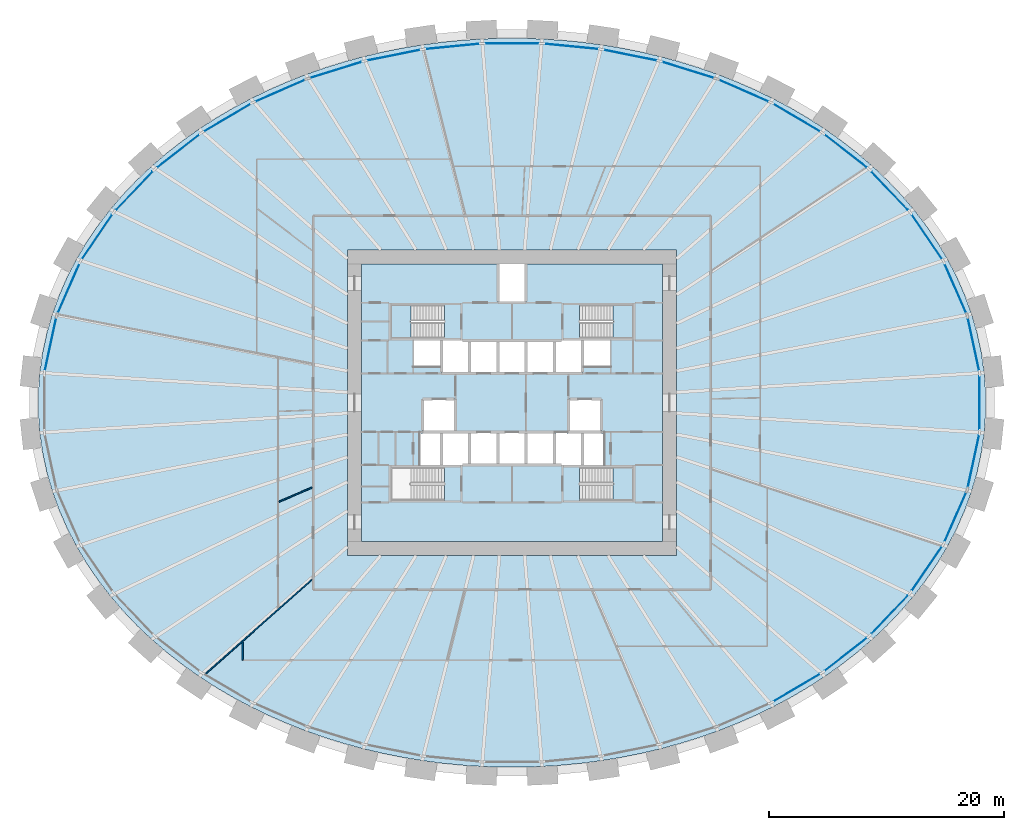
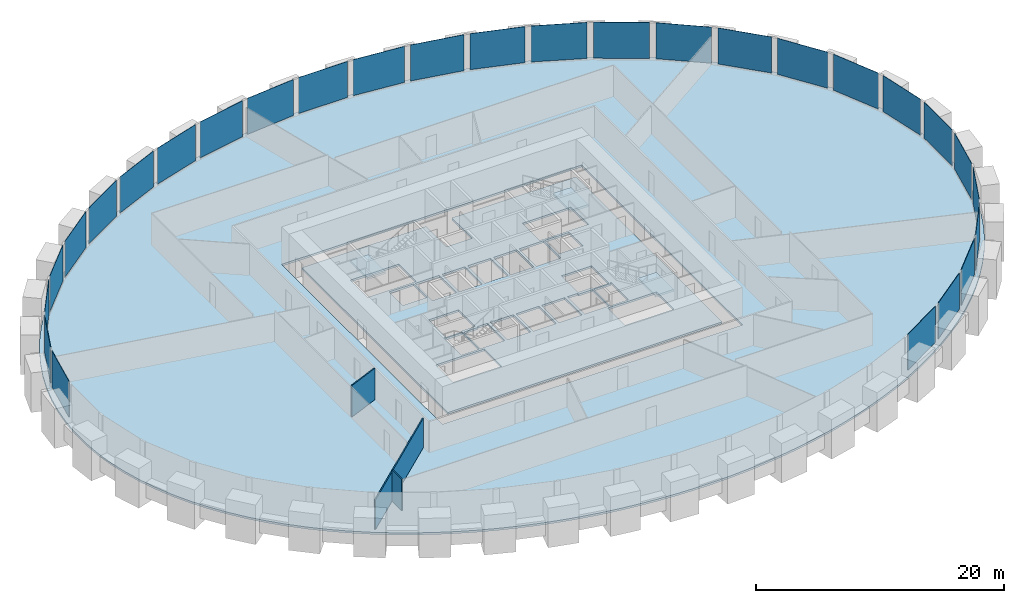
# One storey, part 5 of 10: 28 plates, 5 slabs, 3 walls, 4 elements without a shape of their own.
"""IFC4 building model written with IfcOpenShell, lengths in metres."""

from ifc_helpers import new_model, si_unit, direction, frame, frame_2d, origin, origin_2d, place, context, subcontext, project, spatial, polyline, rectangle, outline, extrude, source, transform, mapped, material, layer, layer_set, type_object, element, aggregate, save


model = new_model("IFC4")

# Units and contexts
model_context = context("Model", 3, precision=1e-05, world=origin(), true_north=direction((0.0, 1.0)))
body_context = subcontext(model_context, "Body", "Model", "MODEL_VIEW")
ifc_project = project(units=[si_unit("LENGTHUNIT", "METRE"), si_unit("AREAUNIT", "SQUARE_METRE"), si_unit("VOLUMEUNIT", "CUBIC_METRE"), si_unit("PLANEANGLEUNIT", "RADIAN"), si_unit("MASSUNIT", "GRAM", prefix="KILO")], contexts=[model_context])

# Site, building, storey
site_placement = place(None, origin())
site = spatial("IfcSite", under=ifc_project, at=site_placement, CompositionType="ELEMENT")
building_placement = place(site_placement, origin())
building = spatial("IfcBuilding", under=site, at=building_placement, Name="Embergate Tower", CompositionType="ELEMENT")
storey_placement = place(building_placement, frame((0.0, 0.0, 93.199951171875)))
storey = spatial("IfcBuildingStorey", under=building, at=storey_placement, Name="L19", CompositionType="ELEMENT", Elevation=93.199951171875)

# Slab
ifc_material_1 = material(Name="Concrete C40", Category="concrete")
ifc_layer_1 = layer(ifc_material_1, 0.199951171875)
ifc_layer_set_1 = layer_set([ifc_layer_1], Name="Concrete C40")
slab_type_1 = type_object("IfcSlabType", Name="Composite floor slab C40 200", PredefinedType="FLOOR", material=ifc_layer_set_1)
shared_shape_1 = source(origin(), body_context, "Body", "SweptSolid", [
    extrude(outline(polyline([(0.0, 0.0), (1.7041015625, 0.0), (3.406982421875, 0.054931640625), (5.111083984375, 0.1669921875), (6.80810546875, 0.3330078125), (8.4931640625, 0.554931640625), (10.18115234375, 0.8349609375), (11.85302734375, 1.169921875), (13.504150390625, 1.559814453125), (15.157958984375, 2.011962890625), (16.78515625, 2.518798828125), (18.383056640625, 3.079833984375), (19.98193359375, 3.7080078125), (21.5439453125, 4.390869140625), (23.06396484375, 5.126953125), (24.5830078125, 5.93798828125), (26.052978515625, 6.802001953125), (27.468994140625, 7.7158203125), (28.875, 8.71484375), (30.218017578125, 9.762939453125), (31.49609375, 10.85888671875), (32.7490234375, 12.0458984375), (33.925048828125, 13.27880859375), (35.02001953125, 14.555908203125), (36.071044921875, 15.9248046875), (37.029052734375, 17.3330078125), (37.89208984375, 18.77783203125), (38.68212890625, 20.306884765625), (39.365966796875, 21.866943359375), (39.942138671875, 23.452880859375), (40.4169921875, 25.099853515625), (40.775146484375, 26.763916015625), (41.01513671875, 28.44189453125), (41.136962890625, 30.141845703125), (41.136962890625, 31.843994140625), (41.01513671875, 33.5439453125), (40.775146484375, 35.221923828125), (40.4169921875, 36.885986328125), (39.942138671875, 38.532958984375), (39.365966796875, 40.118896484375), (38.68212890625, 41.678955078125), (37.89208984375, 43.2080078125), (37.029052734375, 44.65283203125), (36.071044921875, 46.06103515625), (35.02001953125, 47.429931640625), (33.925048828125, 48.70703125), (32.7490234375, 49.93994140625), (31.49609375, 51.126953125), (30.218017578125, 52.222900390625), (28.875, 53.27099609375), (27.468994140625, 54.27001953125), (26.052978515625, 55.183837890625), (24.5830078125, 56.0478515625), (23.06396484375, 56.85888671875), (21.5439453125, 57.594970703125), (19.98193359375, 58.27783203125), (18.383056640625, 58.906005859375), (16.78515625, 59.467041015625), (15.157958984375, 59.973876953125), (13.504150390625, 60.426025390625), (11.85302734375, 60.81591796875), (10.18115234375, 61.15087890625), (8.4931640625, 61.430908203125), (6.80810546875, 61.65283203125), (5.111083984375, 61.81884765625), (3.406982421875, 61.930908203125), (1.7041015625, 61.98583984375), (0.0, 61.98583984375), (-1.702880859375, 61.930908203125), (-3.406982421875, 61.81884765625), (-5.10400390625, 61.65283203125), (-6.7890625, 61.430908203125), (-8.47705078125, 61.15087890625), (-10.14892578125, 60.81591796875), (-11.800048828125, 60.426025390625), (-13.453857421875, 59.973876953125), (-15.0810546875, 59.467041015625), (-16.678955078125, 58.906005859375), (-18.27783203125, 58.27783203125), (-19.83984375, 57.594970703125), (-21.35986328125, 56.85888671875), (-22.87890625, 56.0478515625), (-24.348876953125, 55.183837890625), (-25.764892578125, 54.27001953125), (-27.1708984375, 53.27099609375), (-28.513916015625, 52.222900390625), (-29.7919921875, 51.126953125), (-31.044921875, 49.93994140625), (-32.220947265625, 48.70703125), (-33.31591796875, 47.429931640625), (-34.366943359375, 46.06103515625), (-35.324951171875, 44.65283203125), (-36.18798828125, 43.2080078125), (-36.97802734375, 41.678955078125), (-37.661865234375, 40.118896484375), (-38.238037109375, 38.532958984375), (-38.712890625, 36.885986328125), (-39.071044921875, 35.221923828125), (-39.31103515625, 33.5439453125), (-39.432861328125, 31.843994140625), (-39.432861328125, 30.141845703125), (-39.31103515625, 28.44189453125), (-39.071044921875, 26.763916015625), (-38.712890625, 25.099853515625), (-38.238037109375, 23.452880859375), (-37.661865234375, 21.866943359375), (-36.97802734375, 20.306884765625), (-36.18798828125, 18.77783203125), (-35.324951171875, 17.3330078125), (-34.366943359375, 15.9248046875), (-33.31591796875, 14.555908203125), (-32.220947265625, 13.27880859375), (-31.044921875, 12.0458984375), (-29.7919921875, 10.85888671875), (-28.513916015625, 9.762939453125), (-27.1708984375, 8.71484375), (-25.764892578125, 7.7158203125), (-24.348876953125, 6.802001953125), (-22.87890625, 5.93798828125), (-21.35986328125, 5.126953125), (-19.83984375, 4.390869140625), (-18.27783203125, 3.7080078125), (-16.678955078125, 3.079833984375), (-15.0810546875, 2.518798828125), (-13.453857421875, 2.011962890625), (-11.800048828125, 1.559814453125), (-10.14892578125, 1.169921875), (-8.47705078125, 0.8349609375), (-6.7890625, 0.554931640625), (-5.10400390625, 0.3330078125), (-3.406982421875, 0.1669921875), (-1.702880859375, 0.054931640625), (0.0, 0.0)]), holes=[polyline([(-13.14794921875, 17.992919921875), (-13.14794921875, 43.992919921875), (14.85205078125, 43.992919921875), (14.85205078125, 17.992919921875), (-13.14794921875, 17.992919921875)])]), origin(), (0.0, 0.0, 1.0), 0.199951171875),
])
slab_1_placement = place(storey_placement, frame((-0.85205078125, -30.992919921875, -0.199951171875)))
element("IfcSlab", 1, at=slab_1_placement, inside=storey, type_object=slab_type_1, Name="SLB-L19-00", PredefinedType="FLOOR", context=body_context, shape_type="MappedRepresentation", body=[
    mapped(shared_shape_1, transform((0.0, 0.0, 0.0))),
])

# Curtain wall, plates
ifc_material_2 = material(Name="Aluminium and glass", Category="aluminium")
curtain_wall_type = type_object("IfcCurtainWallType", Name="Recessed office glazing", PredefinedType="NOTDEFINED", material=ifc_material_2)
curtain_wall_placement = place(storey_placement, origin())
curtain_wall = element("IfcCurtainWall", 2, at=curtain_wall_placement, inside=storey, type_object=curtain_wall_type, Name="Recessed office glazing ring", ObjectType="RECESSED OFFICE GLAZING", PredefinedType="USERDEFINED")
ifc_material_3 = material(Name="Triple glazing, low-emissivity coating", Category="glass")
ifc_layer_2 = layer(ifc_material_3, 0.035888671875)
ifc_layer_set_2 = layer_set([ifc_layer_2], Name="Triple glazing, low-emissivity coating")
plate_type = type_object("IfcPlateType", Name="Office glazing unit", PredefinedType="CURTAIN_PANEL", material=ifc_layer_set_2)
shared_shape_2 = source(origin(), body_context, "Body", "SweptSolid", [
    extrude(rectangle(XDim=4.502197265625, YDim=0.035888671875, at=origin_2d()), origin(), (0.0, 0.0, 1.0), 3.550048828125),
])
plate_1_placement = place(storey_placement, frame((39.247314453125, 4.964599609375, 0.14990234375), z_axis=(0.0, 0.0, 1.0), x_axis=(-0.210396684915, 0.977616097953, 0.0)))
plate_1 = element("IfcPlate", 3, at=plate_1_placement, type_object=plate_type, Name="CW panel 1.1", PredefinedType="CURTAIN_PANEL", context=body_context, shape_type="MappedRepresentation", body=[
    mapped(shared_shape_2, transform((0.0, 0.0, 0.0))),
])
plate_2_placement = place(storey_placement, frame((-39.247314453125, 4.964599609375, 0.14990234375), z_axis=(0.0, 0.0, 1.0), x_axis=(-0.210396684915, -0.977616097953, 0.0)))
plate_2 = element("IfcPlate", 4, at=plate_2_placement, type_object=plate_type, Name="CW panel 21.1", PredefinedType="CURTAIN_PANEL", context=body_context, shape_type="MappedRepresentation", body=[
    mapped(shared_shape_2, transform((0.0, 0.0, 0.0))),
])
plate_3_placement = place(storey_placement, frame((39.247314453125, -4.964599609375, 0.14990234375), z_axis=(0.0, 0.0, 1.0), x_axis=(0.210396684915, 0.977616097953, 0.0)))
plate_3 = element("IfcPlate", 5, at=plate_3_placement, type_object=plate_type, Name="CW panel 43.1", PredefinedType="CURTAIN_PANEL", context=body_context, shape_type="MappedRepresentation", body=[
    mapped(shared_shape_2, transform((0.0, 0.0, 0.0))),
])
shared_shape_3 = source(origin(), body_context, "Body", "SweptSolid", [
    extrude(rectangle(XDim=4.50927734375, YDim=0.035888671875, at=origin_2d()), origin(), (0.0, 0.0, 1.0), 3.550048828125),
])
plate_4_placement = place(storey_placement, frame((37.708984375, 9.722412109375, 0.14990234375), z_axis=(0.0, 0.0, 1.0), x_axis=(-0.401650502798, 0.915793029894, 0.0)))
plate_4 = element("IfcPlate", 6, at=plate_4_placement, type_object=plate_type, Name="CW panel 2.1", PredefinedType="CURTAIN_PANEL", context=body_context, shape_type="MappedRepresentation", body=[
    mapped(shared_shape_3, transform((0.0, 0.0, 0.0))),
])
plate_5_placement = place(storey_placement, frame((-37.708984375, 9.722412109375, 0.14990234375), z_axis=(0.0, 0.0, 1.0), x_axis=(-0.401650502798, -0.915793029894, 0.0)))
plate_5 = element("IfcPlate", 7, at=plate_5_placement, type_object=plate_type, Name="CW panel 20.1", PredefinedType="CURTAIN_PANEL", context=body_context, shape_type="MappedRepresentation", body=[
    mapped(shared_shape_3, transform((0.0, 0.0, 0.0))),
])
plate_6_placement = place(storey_placement, frame((37.708984375, -9.722412109375, 0.14990234375), z_axis=(0.0, 0.0, 1.0), x_axis=(0.401650502798, 0.915793029894, 0.0)))
plate_6 = element("IfcPlate", 8, at=plate_6_placement, type_object=plate_type, Name="CW panel 42.1", PredefinedType="CURTAIN_PANEL", context=body_context, shape_type="MappedRepresentation", body=[
    mapped(shared_shape_3, transform((0.0, 0.0, 0.0))),
])
shared_shape_4 = source(origin(), body_context, "Body", "SweptSolid", [
    extrude(rectangle(XDim=4.518310546875, YDim=0.035888671875, at=origin_2d()), origin(), (0.0, 0.0, 1.0), 3.550048828125),
])
plate_7_placement = place(storey_placement, frame((35.2822265625, 14.1083984375, 0.14990234375), z_axis=(0.0, 0.0, 1.0), x_axis=(-0.562340298693, 0.826905912705, 0.0)))
plate_7 = element("IfcPlate", 9, at=plate_7_placement, type_object=plate_type, Name="CW panel 3.1", PredefinedType="CURTAIN_PANEL", context=body_context, shape_type="MappedRepresentation", body=[
    mapped(shared_shape_4, transform((0.0, 0.0, 0.0))),
])
plate_8_placement = place(storey_placement, frame((-35.2822265625, 14.1083984375, 0.14990234375), z_axis=(0.0, 0.0, 1.0), x_axis=(-0.562340298693, -0.826905912705, 0.0)))
plate_8 = element("IfcPlate", 10, at=plate_8_placement, type_object=plate_type, Name="CW panel 19.1", PredefinedType="CURTAIN_PANEL", context=body_context, shape_type="MappedRepresentation", body=[
    mapped(shared_shape_4, transform((0.0, 0.0, 0.0))),
])
plate_9_placement = place(storey_placement, frame((35.2822265625, -14.1083984375, 0.14990234375), z_axis=(0.0, 0.0, 1.0), x_axis=(0.562340298693, 0.826905912705, 0.0)))
plate_9 = element("IfcPlate", 11, at=plate_9_placement, type_object=plate_type, Name="CW panel 41.1", PredefinedType="CURTAIN_PANEL", context=body_context, shape_type="MappedRepresentation", body=[
    mapped(shared_shape_4, transform((0.0, 0.0, 0.0))),
])
shared_shape_5 = source(origin(), body_context, "Body", "SweptSolid", [
    extrude(rectangle(XDim=4.527099609375, YDim=0.035888671875, at=origin_2d()), origin(), (0.0, 0.0, 1.0), 3.550048828125),
])
plate_10_placement = place(storey_placement, frame((32.124267578125, 18.017578125, 0.14990234375), z_axis=(0.0, 0.0, 1.0), x_axis=(-0.6901325214, 0.723683012724, 0.0)))
plate_10 = element("IfcPlate", 12, at=plate_10_placement, type_object=plate_type, Name="CW panel 4.1", PredefinedType="CURTAIN_PANEL", context=body_context, shape_type="MappedRepresentation", body=[
    mapped(shared_shape_5, transform((0.0, 0.0, 0.0))),
])
plate_11_placement = place(storey_placement, frame((-32.124267578125, 18.017578125, 0.14990234375), z_axis=(0.0, 0.0, 1.0), x_axis=(-0.6901325214, -0.723683012724, 0.0)))
plate_11 = element("IfcPlate", 13, at=plate_11_placement, type_object=plate_type, Name="CW panel 18.1", PredefinedType="CURTAIN_PANEL", context=body_context, shape_type="MappedRepresentation", body=[
    mapped(shared_shape_5, transform((0.0, 0.0, 0.0))),
])
plate_12_placement = place(storey_placement, frame((32.124267578125, -18.017578125, 0.14990234375), z_axis=(0.0, 0.0, 1.0), x_axis=(0.6901325214, 0.723683012724, 0.0)))
plate_12 = element("IfcPlate", 14, at=plate_12_placement, type_object=plate_type, Name="CW panel 40.1", PredefinedType="CURTAIN_PANEL", context=body_context, shape_type="MappedRepresentation", body=[
    mapped(shared_shape_5, transform((0.0, 0.0, 0.0))),
])
shared_shape_6 = source(origin(), body_context, "Body", "SweptSolid", [
    extrude(rectangle(XDim=4.534423828125, YDim=0.035888671875, at=origin_2d()), origin(), (0.0, 0.0, 1.0), 3.550048828125),
])
plate_13_placement = place(storey_placement, frame((28.390380859375, 21.398681640625, 0.14990234375), z_axis=(0.0, 0.0, 1.0), x_axis=(-0.788319045413, 0.615266676035, 0.0)))
plate_13 = element("IfcPlate", 15, at=plate_13_placement, type_object=plate_type, Name="CW panel 5.1", PredefinedType="CURTAIN_PANEL", context=body_context, shape_type="MappedRepresentation", body=[
    mapped(shared_shape_6, transform((0.0, 0.0, 0.0))),
])
plate_14_placement = place(storey_placement, frame((-28.390380859375, 21.398681640625, 0.14990234375), z_axis=(0.0, 0.0, 1.0), x_axis=(-0.788319045413, -0.615266676035, 0.0)))
plate_14 = element("IfcPlate", 16, at=plate_14_placement, type_object=plate_type, Name="CW panel 17.1", PredefinedType="CURTAIN_PANEL", context=body_context, shape_type="MappedRepresentation", body=[
    mapped(shared_shape_6, transform((0.0, 0.0, 0.0))),
])
plate_15_placement = place(storey_placement, frame((28.390380859375, -21.398681640625, 0.14990234375), z_axis=(0.0, 0.0, 1.0), x_axis=(0.788319045413, 0.615266676035, 0.0)))
plate_15 = element("IfcPlate", 17, at=plate_15_placement, type_object=plate_type, Name="CW panel 39.1", PredefinedType="CURTAIN_PANEL", context=body_context, shape_type="MappedRepresentation", body=[
    mapped(shared_shape_6, transform((0.0, 0.0, 0.0))),
])
shared_shape_7 = source(origin(), body_context, "Body", "SweptSolid", [
    extrude(rectangle(XDim=4.54052734375, YDim=0.035888671875, at=origin_2d()), origin(), (0.0, 0.0, 1.0), 3.550048828125),
])
plate_16_placement = place(storey_placement, frame((24.216796875, 24.236083984375, 0.14990234375), z_axis=(0.0, 0.0, 1.0), x_axis=(-0.862052283246, 0.506819357316, 0.0)))
plate_16 = element("IfcPlate", 18, at=plate_16_placement, type_object=plate_type, Name="CW panel 6.1", PredefinedType="CURTAIN_PANEL", context=body_context, shape_type="MappedRepresentation", body=[
    mapped(shared_shape_7, transform((0.0, 0.0, 0.0))),
])
plate_17_placement = place(storey_placement, frame((-24.216796875, 24.236083984375, 0.14990234375), z_axis=(0.0, 0.0, 1.0), x_axis=(-0.862052283246, -0.506819357316, 0.0)))
plate_17 = element("IfcPlate", 19, at=plate_17_placement, type_object=plate_type, Name="CW panel 16.1", PredefinedType="CURTAIN_PANEL", context=body_context, shape_type="MappedRepresentation", body=[
    mapped(shared_shape_7, transform((0.0, 0.0, 0.0))),
])
plate_18_placement = place(storey_placement, frame((24.216796875, -24.236083984375, 0.14990234375), z_axis=(0.0, 0.0, 1.0), x_axis=(0.862052283246, 0.506819357316, 0.0)))
plate_18 = element("IfcPlate", 20, at=plate_18_placement, type_object=plate_type, Name="CW panel 38.1", PredefinedType="CURTAIN_PANEL", context=body_context, shape_type="MappedRepresentation", body=[
    mapped(shared_shape_7, transform((0.0, 0.0, 0.0))),
])
shared_shape_8 = source(origin(), body_context, "Body", "SweptSolid", [
    extrude(rectangle(XDim=4.545166015625, YDim=0.035888671875, at=origin_2d()), origin(), (0.0, 0.0, 1.0), 3.550048828125),
])
plate_19_placement = place(storey_placement, frame((19.715087890625, 26.533203125, 0.14990234375), z_axis=(0.0, 0.0, 1.0), x_axis=(-0.916235512493, 0.400640094905, 0.0)))
plate_19 = element("IfcPlate", 21, at=plate_19_placement, type_object=plate_type, Name="CW panel 7.1", PredefinedType="CURTAIN_PANEL", context=body_context, shape_type="MappedRepresentation", body=[
    mapped(shared_shape_8, transform((0.0, 0.0, 0.0))),
])
plate_20_placement = place(storey_placement, frame((-19.715087890625, 26.533203125, 0.14990234375), z_axis=(0.0, 0.0, 1.0), x_axis=(-0.916235512493, -0.400640094905, 0.0)))
plate_20 = element("IfcPlate", 22, at=plate_20_placement, type_object=plate_type, Name="CW panel 15.1", PredefinedType="CURTAIN_PANEL", context=body_context, shape_type="MappedRepresentation", body=[
    mapped(shared_shape_8, transform((0.0, 0.0, 0.0))),
])
shared_shape_9 = source(origin(), body_context, "Body", "SweptSolid", [
    extrude(rectangle(XDim=4.548583984375, YDim=0.035888671875, at=origin_2d()), origin(), (0.0, 0.0, 1.0), 3.550048828125),
])
plate_21_placement = place(storey_placement, frame((14.97509765625, 28.30126953125, 0.14990234375), z_axis=(0.0, 0.0, 1.0), x_axis=(-0.95477169822, 0.297339880067, 0.0)))
plate_21 = element("IfcPlate", 23, at=plate_21_placement, type_object=plate_type, Name="CW panel 8.1", PredefinedType="CURTAIN_PANEL", context=body_context, shape_type="MappedRepresentation", body=[
    mapped(shared_shape_9, transform((0.0, 0.0, 0.0))),
])
plate_22_placement = place(storey_placement, frame((-14.97509765625, 28.30126953125, 0.14990234375), z_axis=(0.0, 0.0, 1.0), x_axis=(-0.95477169822, -0.297339880067, 0.0)))
plate_22 = element("IfcPlate", 24, at=plate_22_placement, type_object=plate_type, Name="CW panel 14.1", PredefinedType="CURTAIN_PANEL", context=body_context, shape_type="MappedRepresentation", body=[
    mapped(shared_shape_9, transform((0.0, 0.0, 0.0))),
])
shared_shape_10 = source(origin(), body_context, "Body", "SweptSolid", [
    extrude(rectangle(XDim=4.55078125, YDim=0.035888671875, at=origin_2d()), origin(), (0.0, 0.0, 1.0), 3.550048828125),
])
plate_23_placement = place(storey_placement, frame((10.069580078125, 29.55322265625, 0.14990234375), z_axis=(0.0, 0.0, 1.0), x_axis=(-0.980475564207, 0.196640962142, 0.0)))
plate_23 = element("IfcPlate", 25, at=plate_23_placement, type_object=plate_type, Name="CW panel 9.1", PredefinedType="CURTAIN_PANEL", context=body_context, shape_type="MappedRepresentation", body=[
    mapped(shared_shape_10, transform((0.0, 0.0, 0.0))),
])
plate_24_placement = place(storey_placement, frame((-10.069580078125, 29.55322265625, 0.14990234375), z_axis=(0.0, 0.0, 1.0), x_axis=(-0.980475564207, -0.196640962142, 0.0)))
plate_24 = element("IfcPlate", 26, at=plate_24_placement, type_object=plate_type, Name="CW panel 13.1", PredefinedType="CURTAIN_PANEL", context=body_context, shape_type="MappedRepresentation", body=[
    mapped(shared_shape_10, transform((0.0, 0.0, 0.0))),
])
shared_shape_11 = source(origin(), body_context, "Body", "SweptSolid", [
    extrude(rectangle(XDim=4.552001953125, YDim=0.035888671875, at=origin_2d()), origin(), (0.0, 0.0, 1.0), 3.550048828125),
])
plate_25_placement = place(storey_placement, frame((5.06005859375, 30.300048828125, 0.14990234375), z_axis=(0.0, 0.0, 1.0), x_axis=(-0.995203184788, 0.097829550688, 0.0)))
plate_25 = element("IfcPlate", 27, at=plate_25_placement, type_object=plate_type, Name="CW panel 10.1", PredefinedType="CURTAIN_PANEL", context=body_context, shape_type="MappedRepresentation", body=[
    mapped(shared_shape_11, transform((0.0, 0.0, 0.0))),
])
plate_26_placement = place(storey_placement, frame((-5.06005859375, 30.300048828125, 0.14990234375), z_axis=(0.0, 0.0, 1.0), x_axis=(-0.995203184788, -0.097829550688, 0.0)))
plate_26 = element("IfcPlate", 28, at=plate_26_placement, type_object=plate_type, Name="CW panel 12.1", PredefinedType="CURTAIN_PANEL", context=body_context, shape_type="MappedRepresentation", body=[
    mapped(shared_shape_11, transform((0.0, 0.0, 0.0))),
])
shared_shape_12 = source(origin(), body_context, "Body", "SweptSolid", [
    extrude(rectangle(XDim=4.552490234375, YDim=0.035888671875, at=origin_2d()), origin(), (0.0, 0.0, 1.0), 3.550048828125),
])
plate_27_placement = place(storey_placement, frame((0.0, 30.548095703125, 0.14990234375), z_axis=(0.0, 0.0, 1.0), x_axis=(-1.0, 0.0, 0.0)))
plate_27 = element("IfcPlate", 29, at=plate_27_placement, type_object=plate_type, Name="CW panel 11.1", PredefinedType="CURTAIN_PANEL", context=body_context, shape_type="MappedRepresentation", body=[
    mapped(shared_shape_12, transform((0.0, 0.0, 0.0))),
])
shared_shape_13 = source(origin(), body_context, "Body", "SweptSolid", [
    extrude(rectangle(XDim=4.49951171875, YDim=0.035888671875, at=origin_2d()), origin(), (0.0, 0.0, 1.0), 3.550048828125),
])
plate_28_placement = place(storey_placement, frame((39.775390625, 0.0, 0.14990234375), z_axis=(0.0, 0.0, 1.0), x_axis=(0.0, 1.0, 0.0)))
plate_28 = element("IfcPlate", 30, at=plate_28_placement, type_object=plate_type, Name="CW panel 44.1", PredefinedType="CURTAIN_PANEL", context=body_context, shape_type="MappedRepresentation", body=[
    mapped(shared_shape_13, transform((0.0, 0.0, 0.0))),
])
aggregate(curtain_wall, [plate_1, plate_4, plate_7, plate_10, plate_13, plate_16, plate_19, plate_21, plate_23, plate_25, plate_27, plate_26, plate_24, plate_22, plate_20, plate_17, plate_14, plate_11, plate_8, plate_5, plate_2, plate_18, plate_15, plate_12, plate_9, plate_6, plate_3, plate_28])

# Stair, slab
ifc_material_4 = material(Name="Exit stair")
stair_type = type_object("IfcStairType", Name="Exit stair", PredefinedType="HALF_TURN_STAIR", material=ifc_material_4)
stair_1_placement = place(storey_placement, origin())
stair_1 = element("IfcStair", 31, at=stair_1_placement, inside=storey, type_object=stair_type, Name="L19 Exit stair 1", PredefinedType="HALF_TURN_STAIR")
ifc_layer_3 = layer(ifc_material_1, 0.199951171875)
ifc_layer_set_3 = layer_set([ifc_layer_3], Name="Concrete C40")
slab_type_2 = type_object("IfcSlabType", Name="Stair landing reinforced concrete", PredefinedType="LANDING", material=ifc_layer_set_3)
shared_shape_14 = source(origin(), body_context, "Body", "SweptSolid", [
    extrude(outline(polyline([(0.0, 0.0), (1.68994140625, 0.0), (1.68994140625, 2.800048828125), (0.0, 2.800048828125), (0.0, 0.0)])), origin(), (0.0, 0.0, 1.0), 0.199951171875),
])
slab_2_placement = place(storey_placement, frame((-10.300048828125, 5.5, 1.75)))
slab_2 = element("IfcSlab", 32, at=slab_2_placement, type_object=slab_type_2, Name="ST1 landing 1", PredefinedType="LANDING", context=body_context, shape_type="MappedRepresentation", body=[
    mapped(shared_shape_14, transform((0.0, 0.0, 0.0))),
])
aggregate(stair_1, [slab_2])

stair_2_placement = place(storey_placement, origin())
stair_2 = element("IfcStair", 33, at=stair_2_placement, inside=storey, type_object=stair_type, Name="L19 Exit stair 2", PredefinedType="HALF_TURN_STAIR")
slab_3_placement = place(storey_placement, frame((8.610107421875, 5.5, 1.75)))
slab_3 = element("IfcSlab", 34, at=slab_3_placement, type_object=slab_type_2, Name="ST2 landing 1", PredefinedType="LANDING", context=body_context, shape_type="MappedRepresentation", body=[
    mapped(shared_shape_14, transform((0.0, 0.0, 0.0))),
])
aggregate(stair_2, [slab_3])

stair_3_placement = place(storey_placement, origin())
stair_3 = element("IfcStair", 35, at=stair_3_placement, inside=storey, type_object=stair_type, Name="L19 Exit stair 4", PredefinedType="HALF_TURN_STAIR")
slab_4_placement = place(storey_placement, frame((8.610107421875, -8.300048828125, 1.75)))
slab_4 = element("IfcSlab", 36, at=slab_4_placement, type_object=slab_type_2, Name="ST4 landing 1", PredefinedType="LANDING", context=body_context, shape_type="MappedRepresentation", body=[
    mapped(shared_shape_14, transform((0.0, 0.0, 0.0))),
])
aggregate(stair_3, [slab_4])

# Slab
ifc_layer_4 = layer(ifc_material_1, 0.199951171875)
ifc_layer_set_4 = layer_set([ifc_layer_4], Name="Concrete C40")
slab_type_3 = type_object("IfcSlabType", Name="Core floor slab 200 reinforced concrete", PredefinedType="FLOOR", material=ifc_layer_set_4)
shared_shape_15 = source(origin(), body_context, "Body", "SweptSolid", [
    extrude(outline(polyline([(0.0, 0.0), (25.60009765625, 0.0), (25.60009765625, 23.60009765625), (14.0, 23.60009765625), (14.0, 20.300048828125), (11.60009765625, 20.300048828125), (11.60009765625, 23.60009765625), (0.0, 23.60009765625), (0.0, 0.0)]), holes=[polyline([(2.5, 3.5), (2.5, 6.300048828125), (7.0400390625, 6.300048828125), (7.0400390625, 3.5), (2.5, 3.5)]), polyline([(18.56005859375, 3.5), (18.56005859375, 6.300048828125), (23.10009765625, 6.300048828125), (23.10009765625, 3.5), (18.56005859375, 3.5)]), polyline([(5.0, 6.5), (5.0, 9.300048828125), (5.074951171875, 9.300048828125), (5.074951171875, 9.175048828125), (6.675048828125, 9.175048828125), (6.675048828125, 6.5), (5.0, 6.5)]), polyline([(6.800048828125, 6.5), (6.800048828125, 9.175048828125), (8.125, 9.175048828125), (8.125, 9.300048828125), (9.074951171875, 9.300048828125), (9.074951171875, 6.5), (6.800048828125, 6.5)]), polyline([(9.324951171875, 6.5), (9.324951171875, 9.300048828125), (11.47509765625, 9.300048828125), (11.47509765625, 6.5), (9.324951171875, 6.5)]), polyline([(11.72509765625, 6.5), (11.72509765625, 9.300048828125), (13.875, 9.300048828125), (13.875, 6.5), (11.72509765625, 6.5)]), polyline([(14.125, 6.5), (14.125, 9.300048828125), (16.275146484375, 9.300048828125), (16.275146484375, 6.5), (14.125, 6.5)]), polyline([(16.525146484375, 6.5), (16.525146484375, 9.300048828125), (17.47509765625, 9.300048828125), (17.47509765625, 9.175048828125), (18.800048828125, 9.175048828125), (18.800048828125, 6.5), (16.525146484375, 6.5)]), polyline([(18.925048828125, 6.5), (18.925048828125, 9.175048828125), (20.525146484375, 9.175048828125), (20.525146484375, 9.300048828125), (20.60009765625, 9.300048828125), (20.60009765625, 6.5), (18.925048828125, 6.5)]), polyline([(5.199951171875, 9.300048828125), (5.199951171875, 12.10009765625), (8.0, 12.10009765625), (8.0, 9.425048828125), (6.675048828125, 9.425048828125), (6.675048828125, 9.300048828125), (5.199951171875, 9.300048828125)]), polyline([(18.925048828125, 9.300048828125), (18.925048828125, 9.425048828125), (17.60009765625, 9.425048828125), (17.60009765625, 12.10009765625), (20.400146484375, 12.10009765625), (20.400146484375, 9.300048828125), (18.925048828125, 9.300048828125)]), polyline([(6.800048828125, 14.300048828125), (6.800048828125, 17.10009765625), (9.074951171875, 17.10009765625), (9.074951171875, 14.300048828125), (6.800048828125, 14.300048828125)]), polyline([(9.324951171875, 14.300048828125), (9.324951171875, 17.10009765625), (11.47509765625, 17.10009765625), (11.47509765625, 14.300048828125), (9.324951171875, 14.300048828125)]), polyline([(11.72509765625, 14.300048828125), (11.72509765625, 17.10009765625), (13.875, 17.10009765625), (13.875, 14.300048828125), (11.72509765625, 14.300048828125)]), polyline([(14.125, 14.300048828125), (14.125, 17.10009765625), (16.275146484375, 17.10009765625), (16.275146484375, 14.300048828125), (14.125, 14.300048828125)]), polyline([(16.525146484375, 14.300048828125), (16.525146484375, 17.10009765625), (18.800048828125, 17.10009765625), (18.800048828125, 14.300048828125), (16.525146484375, 14.300048828125)]), polyline([(4.400146484375, 14.900146484375), (4.400146484375, 17.10009765625), (6.675048828125, 17.10009765625), (6.675048828125, 14.900146484375), (4.400146484375, 14.900146484375)]), polyline([(18.925048828125, 14.900146484375), (18.925048828125, 17.10009765625), (21.199951171875, 17.10009765625), (21.199951171875, 14.900146484375), (18.925048828125, 14.900146484375)]), polyline([(2.5, 17.300048828125), (2.5, 20.10009765625), (7.0400390625, 20.10009765625), (7.0400390625, 17.300048828125), (2.5, 17.300048828125)]), polyline([(18.56005859375, 17.300048828125), (18.56005859375, 20.10009765625), (23.10009765625, 20.10009765625), (23.10009765625, 17.300048828125), (18.56005859375, 17.300048828125)])]), origin(), (0.0, 0.0, 1.0), 0.199951171875),
])
slab_5_placement = place(storey_placement, frame((-12.800048828125, -11.800048828125, -0.199951171875)))
element("IfcSlab", 37, at=slab_5_placement, inside=storey, type_object=slab_type_3, Name="Core floor slab", PredefinedType="FLOOR", context=body_context, shape_type="MappedRepresentation", body=[
    mapped(shared_shape_15, transform((0.0, 0.0, 0.0))),
])

# Walls
ifc_material_5 = material(Name="Partition dry-lined 100")
ifc_layer_5 = layer(ifc_material_5, 0.10009765625)
ifc_layer_set_5 = layer_set([ifc_layer_5], Name="Partition dry-lined 100")
wall_type_1 = type_object("IfcWallType", Name="Partition dry-lined 100", PredefinedType="PARTITIONING", material=ifc_layer_set_5)
shared_shape_16 = source(origin(), body_context, "Body", "SweptSolid", [
    extrude(rectangle(XDim=1.539794921875, YDim=0.10009765625, at=frame_2d((0.77001953125, 0.0))), origin(), (0.0, 0.0, 1.0), 3.10009765625),
])
wall_1_placement = place(storey_placement, frame((-22.89990234375, -21.89990234375, 0.0), z_axis=(0.0, 0.0, 1.0), x_axis=(0.0, 1.0, 0.0)))
element("IfcWall", 38, at=wall_1_placement, inside=storey, type_object=wall_type_1, Name="IP-1 wall", PredefinedType="PARTITIONING", context=body_context, shape_type="MappedRepresentation", body=[
    mapped(shared_shape_16, transform((0.0, 0.0, 0.0))),
])
ifc_material_6 = material(Name="Partition dry-lined 100 wet")
ifc_layer_6 = layer(ifc_material_6, 0.10009765625)
ifc_layer_set_6 = layer_set([ifc_layer_6], Name="Partition dry-lined 100 wet")
wall_type_2 = type_object("IfcWallType", Name="Partition dry-lined 100 wet", PredefinedType="PLUMBINGWALL", material=ifc_layer_set_6)
shared_shape_17 = source(origin(), body_context, "Body", "SweptSolid", [
    extrude(rectangle(XDim=12.1845703125, YDim=0.10009765625, at=frame_2d((6.09228515625, 0.0))), origin(), (0.0, 0.0, 1.0), 2.900146484375),
])
wall_2_placement = place(storey_placement, frame((-17.008056640625, -15.0390625, 0.0), z_axis=(0.0, 0.0, 1.0), x_axis=(-0.749145699074, -0.662405254779, 0.0)))
element("IfcWall", 39, at=wall_2_placement, inside=storey, type_object=wall_type_2, Name="IP-1 wall", PredefinedType="PLUMBINGWALL", context=body_context, shape_type="MappedRepresentation", body=[
    mapped(shared_shape_17, transform((0.0, 0.0, 0.0))),
])
shared_shape_18 = source(origin(), body_context, "Body", "SweptSolid", [
    extrude(rectangle(XDim=3.08203125, YDim=0.10009765625, at=frame_2d((1.541015625, 0.0))), origin(), (0.0, 0.0, 1.0), 3.10009765625),
])
wall_3_placement = place(storey_placement, frame((-16.993896484375, -7.216064453125, 0.0), z_axis=(0.0, 0.0, 1.0), x_axis=(-0.920556751764, -0.390608841145, 0.0)))
element("IfcWall", 40, at=wall_3_placement, inside=storey, type_object=wall_type_2, Name="IP-1 wall", PredefinedType="PLUMBINGWALL", context=body_context, shape_type="MappedRepresentation", body=[
    mapped(shared_shape_18, transform((0.0, 0.0, 0.0))),
])

save(model, "model.ifc")
